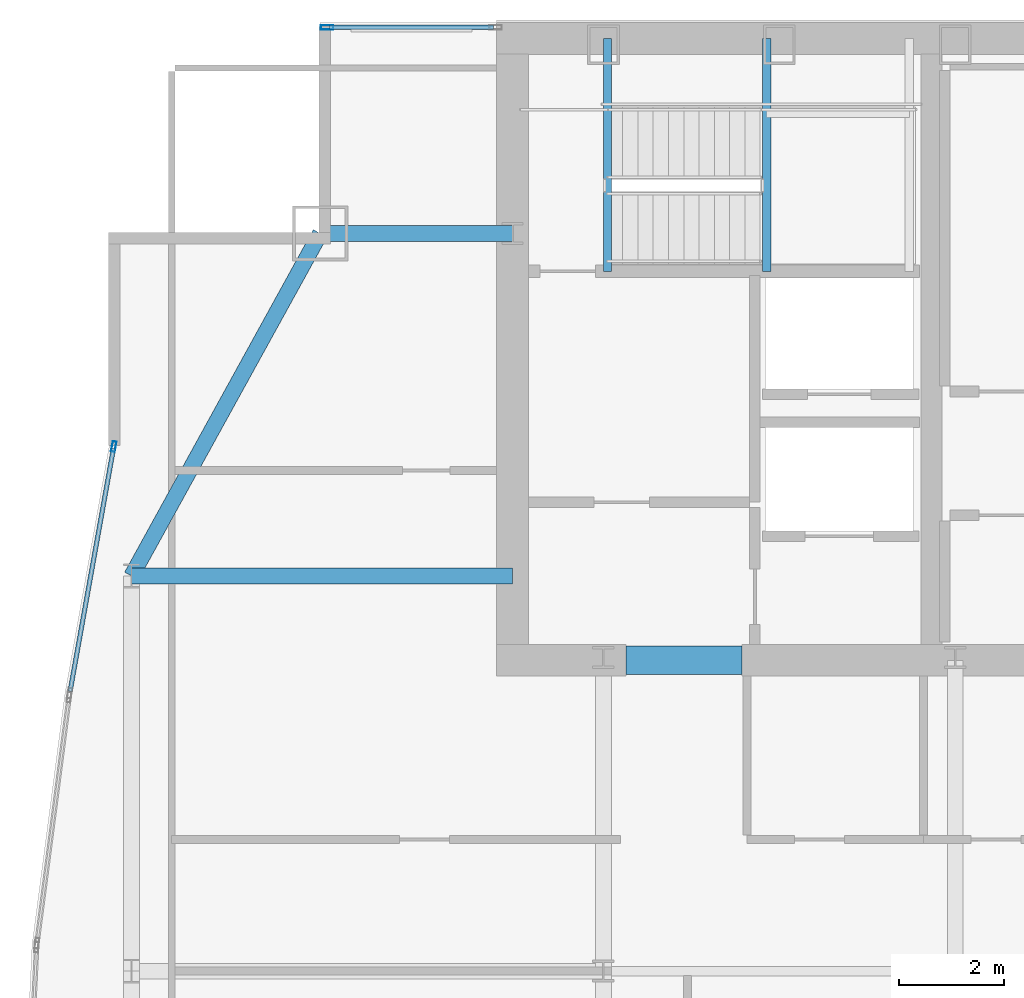
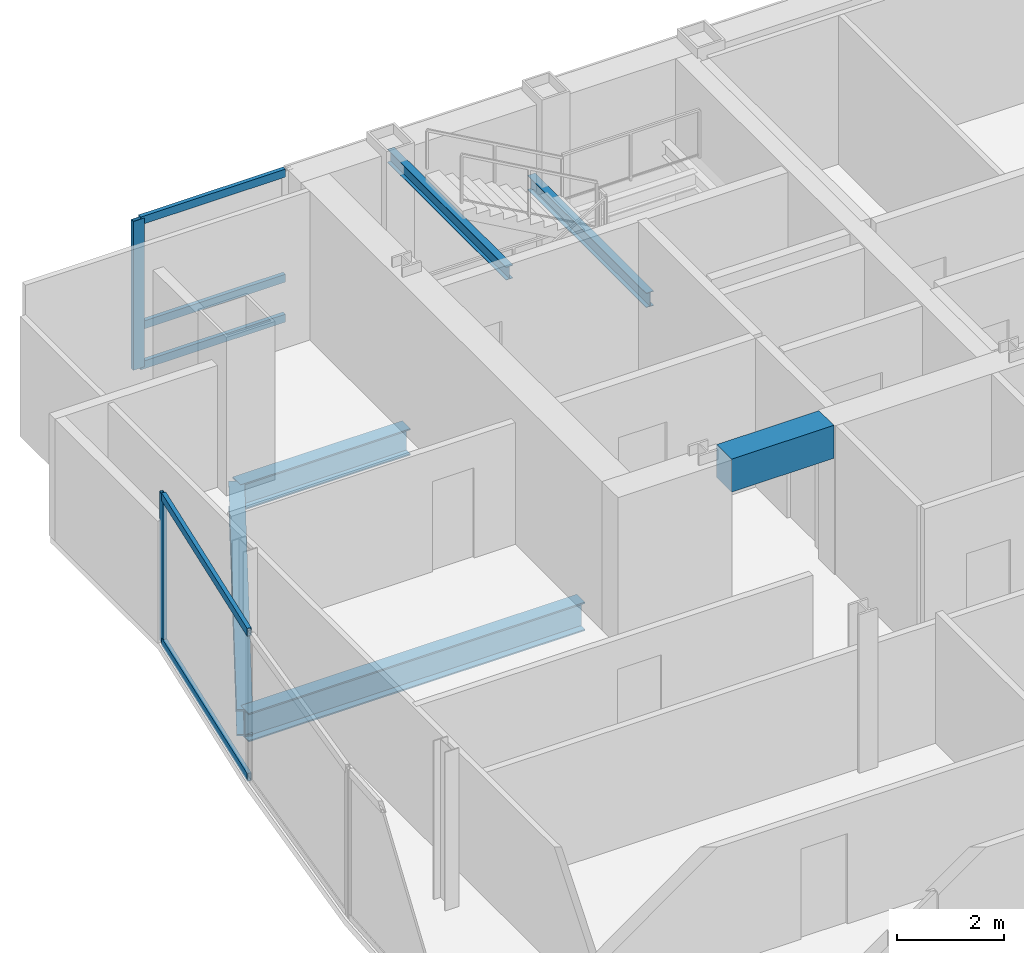
# One storey, part 20 of 30: 7 members, 6 beams, 2 elements without a shape of their own.
"""IFC4 building model written with IfcOpenShell, lengths in metres."""

from ifc_helpers import new_model, si_unit, direction, frame, origin, origin_2d, place, context, subcontext, project, spatial, rectangle, hollow_rectangle, i_section, extrude, material, material_profile, profile_set, type_object, element, aggregate, save


model = new_model("IFC4")

# Units and contexts
model_context = context("Model", 3, precision=1e-05, world=origin(), true_north=direction((0.0, 1.0)))
body_context = subcontext(model_context, "Body", "Model", "MODEL_VIEW")
ifc_project = project(units=[si_unit("LENGTHUNIT", "METRE"), si_unit("AREAUNIT", "SQUARE_METRE"), si_unit("VOLUMEUNIT", "CUBIC_METRE"), si_unit("PLANEANGLEUNIT", "RADIAN"), si_unit("MASSUNIT", "GRAM", prefix="KILO")], contexts=[model_context])

# Site, building, storey
site_placement = place(None, origin())
site = spatial("IfcSite", under=ifc_project, at=site_placement, CompositionType="ELEMENT")
building_placement = place(site_placement, origin())
building = spatial("IfcBuilding", under=site, at=building_placement, Name="Khoronbel Lancet Exchange", CompositionType="ELEMENT")
storey_placement = place(building_placement, frame((0.0, 0.0, 253.39990234375)))
storey = spatial("IfcBuildingStorey", under=building, at=storey_placement, Name="L65", CompositionType="ELEMENT", Elevation=253.39990234375)

# Beams
ifc_material_1 = material(Name="Steel S355", Category="steel")
ifc_material_profile_1 = material_profile(ifc_material_1, i_section(OverallWidth=0.300048828125, OverallDepth=0.64990234375, WebThickness=0.01611328125, FlangeThickness=0.031005859375, at=origin_2d()), Name="HEB 650")
ifc_profile_set_1 = profile_set([ifc_material_profile_1], Name="Steel S355")
beam_type_1 = type_object("IfcBeamType", Name="BM-BG4", PredefinedType="BEAM", material=ifc_profile_set_1)
beam_1_placement = place(storey_placement, frame((9.27001953125, 43.199951171875, -0.48486328125), z_axis=(1.0, 0.0, 0.0), x_axis=(0.0, 1.0, 0.0)))
element("IfcBeam", 1, at=beam_1_placement, inside=storey, type_object=beam_type_1, Name="Level L65 west lens tie girder LG3W", PredefinedType="BEAM", context=body_context, shape_type="SweptSolid", body=[
    extrude(i_section(OverallWidth=0.300048828125, OverallDepth=0.64990234375, WebThickness=0.01611328125, FlangeThickness=0.031005859375, at=origin_2d()), origin(), (0.0, 0.0, 1.0), 7.22998046875),
])
ifc_material_profile_2 = material_profile(ifc_material_1, i_section(OverallWidth=0.159912109375, OverallDepth=0.330078125, WebThickness=0.007568359375, FlangeThickness=0.011474609375, at=origin_2d()), Name="IPE 330")
ifc_profile_set_2 = profile_set([ifc_material_profile_2], Name="Steel S355")
beam_type_2 = type_object("IfcBeamType", Name="BM-BJ7", PredefinedType="JOIST", material=ifc_profile_set_2)
beam_2_placement = place(storey_placement, frame((21.320068359375, 48.97998046875, 1.43505859375), z_axis=(0.0, 1.0, 0.0), x_axis=(-1.0, 0.0, 0.0)))
element("IfcBeam", 2, at=beam_2_placement, inside=storey, type_object=beam_type_2, Name="Level L65 stair ST1 landing bearer beam 1", PredefinedType="JOIST", context=body_context, shape_type="SweptSolid", body=[
    extrude(i_section(OverallWidth=0.159912109375, OverallDepth=0.330078125, WebThickness=0.007568359375, FlangeThickness=0.011474609375, at=origin_2d()), origin(), (0.0, 0.0, 1.0), 4.419921875),
])
ifc_material_profile_3 = material_profile(ifc_material_1, i_section(OverallWidth=0.14990234375, OverallDepth=0.300048828125, WebThickness=0.007080078125, FlangeThickness=0.0107421875, at=origin_2d()), Name="IPE 300")
ifc_profile_set_3 = profile_set([ifc_material_profile_3], Name="Steel S355")
beam_type_3 = type_object("IfcBeamType", Name="BM-BJ8", PredefinedType="JOIST", material=ifc_profile_set_3)
beam_3_placement = place(storey_placement, frame((18.300048828125, 48.97998046875, 3.10009765625), z_axis=(0.0, 1.0, 0.0), x_axis=(-1.0, 0.0, 0.0)))
element("IfcBeam", 3, at=beam_3_placement, inside=storey, type_object=beam_type_3, Name="Level L65 stair ST1 upper-flight arrival trimmer beam", PredefinedType="JOIST", context=body_context, shape_type="SweptSolid", body=[
    extrude(i_section(OverallWidth=0.14990234375, OverallDepth=0.300048828125, WebThickness=0.007080078125, FlangeThickness=0.0107421875, at=origin_2d()), origin(), (0.0, 0.0, 1.0), 4.419921875),
])
ifc_material_2 = material(Name="Concrete C60/75", Category="concrete")
ifc_material_profile_4 = material_profile(ifc_material_2, rectangle(XDim=0.550048828125, YDim=0.75, at=origin_2d()), Name="RC 550x750")
ifc_profile_set_4 = profile_set([ifc_material_profile_4], Name="Concrete C60/75")
beam_type_4 = type_object("IfcBeamType", Name="BM-BL2", PredefinedType="LINTEL", material=ifc_profile_set_4)
beam_4_placement = place(storey_placement, frame((18.64990234375, 41.60009765625, 3.005126953125), z_axis=(1.0, 0.0, 0.0), x_axis=(0.0, 1.0, 0.0)))
element("IfcBeam", 4, at=beam_4_placement, inside=storey, type_object=beam_type_4, Name="Level L65 rear core coupling lintel L1", PredefinedType="LINTEL", context=body_context, shape_type="SweptSolid", body=[
    extrude(rectangle(XDim=0.550048828125, YDim=0.75, at=origin_2d()), origin(), (0.0, 0.0, 1.0), 2.2001953125),
])
ifc_material_profile_5 = material_profile(ifc_material_1, i_section(OverallWidth=0.300048828125, OverallDepth=0.60009765625, WebThickness=0.015380859375, FlangeThickness=0.030029296875, at=origin_2d()), Name="HEB 600")
ifc_profile_set_5 = profile_set([ifc_material_profile_5], Name="Steel S355")
beam_type_5 = type_object("IfcBeamType", Name="BM-BSP2", PredefinedType="SPANDREL", material=ifc_profile_set_5)
beam_5_placement = place(storey_placement, frame((12.85009765625, 49.699951171875, -0.4599609375), z_axis=(-0.482444051088, -0.875926787791, 0.0), x_axis=(0.875926787791, -0.482444051088, 0.0)))
element("IfcBeam", 5, at=beam_5_placement, inside=storey, type_object=beam_type_5, Name="Level L65 perimeter spandrel beam SP16", PredefinedType="SPANDREL", context=body_context, shape_type="SweptSolid", body=[
    extrude(i_section(OverallWidth=0.300048828125, OverallDepth=0.60009765625, WebThickness=0.015380859375, FlangeThickness=0.030029296875, at=origin_2d()), origin(), (0.0, 0.0, 1.0), 7.420654296875),
])
beam_6_placement = place(storey_placement, frame((12.85009765625, 49.699951171875, -0.4599609375), z_axis=(1.0, 0.0, 0.0), x_axis=(0.0, 1.0, 0.0)))
element("IfcBeam", 6, at=beam_6_placement, inside=storey, type_object=beam_type_5, Name="Level L65 north flank tie spandrel SP22", PredefinedType="SPANDREL", context=body_context, shape_type="SweptSolid", body=[
    extrude(i_section(OverallWidth=0.300048828125, OverallDepth=0.60009765625, WebThickness=0.015380859375, FlangeThickness=0.030029296875, at=origin_2d()), origin(), (0.0, 0.0, 1.0), 3.64990234375),
])

# Curtain wall, member
ifc_material_3 = material(Name="Low-E Solar Control Insulating Glass", Category="glass")
curtain_wall_type_1 = type_object("IfcCurtainWallType", Name="CW-3", PredefinedType="NOTDEFINED", material=ifc_material_3)
curtain_wall_1_placement = place(storey_placement, origin())
curtain_wall_1 = element("IfcCurtainWall", 7, at=curtain_wall_1_placement, inside=storey, type_object=curtain_wall_type_1, Name="Unitised curtain wall CW-L65-NWFLK", PredefinedType="NOTDEFINED")
ifc_material_4 = material(Name="Bronze-Anodised Aluminium 6063-T6", Category="aluminium")
ifc_material_profile_6 = material_profile(ifc_material_4, hollow_rectangle(XDim=0.0849609375, YDim=0.239990234375, WallThickness=0.006103515625, at=origin_2d()), Name="ALU MULLION 85x240")
ifc_profile_set_6 = profile_set([ifc_material_profile_6], Name="Bronze-Anodised Aluminium 6063-T6")
member_type_1 = type_object("IfcMemberType", Name="MEM-CWM1", PredefinedType="MULLION", material=ifc_profile_set_6)
member_1_placement = place(storey_placement, frame((12.982421875, 53.610107421875, 0.0), z_axis=(0.0, 0.0, 1.0), x_axis=(0.0, -1.0, 0.0)))
member_1 = element("IfcMember", 8, at=member_1_placement, type_object=member_type_1, Name="CW3 mullion 2", PredefinedType="MULLION", context=body_context, shape_type="SweptSolid", body=[
    extrude(hollow_rectangle(XDim=0.0849609375, YDim=0.239990234375, WallThickness=0.006103515625, at=origin_2d()), origin(), (0.0, 0.0, 1.0), 3.380126953125),
])

# Curtain wall, members
curtain_wall_type_2 = type_object("IfcCurtainWallType", Name="CW-4", PredefinedType="NOTDEFINED", material=ifc_material_3)
curtain_wall_2_placement = place(storey_placement, origin())
curtain_wall_2 = element("IfcCurtainWall", 9, at=curtain_wall_2_placement, inside=storey, type_object=curtain_wall_type_2, Name="Unitised curtain wall CW-L65-E09", PredefinedType="NOTDEFINED")
ifc_material_profile_7 = material_profile(ifc_material_4, hollow_rectangle(XDim=0.074951171875, YDim=0.199951171875, WallThickness=0.0048828125, at=origin_2d()), Name="ALU MULLION 75x200")
ifc_profile_set_7 = profile_set([ifc_material_profile_7], Name="Bronze-Anodised Aluminium 6063-T6")
member_type_2 = type_object("IfcMemberType", Name="MEM-CWM2", PredefinedType="MULLION", material=ifc_profile_set_7)
member_2_placement = place(storey_placement, frame((8.933349609375, 45.655029296875, 0.0), z_axis=(0.0, 0.0, 1.0), x_axis=(-0.984425784404, 0.175800668376, 0.0)))
member_2 = element("IfcMember", 10, at=member_2_placement, type_object=member_type_2, Name="CW4 mullion 2", PredefinedType="MULLION", context=body_context, shape_type="SweptSolid", body=[
    extrude(hollow_rectangle(XDim=0.074951171875, YDim=0.199951171875, WallThickness=0.0048828125, at=origin_2d()), origin(), (0.0, 0.0, 1.0), 3.380126953125),
])
ifc_material_profile_8 = material_profile(ifc_material_4, hollow_rectangle(XDim=0.0849609375, YDim=0.179931640625, WallThickness=0.0048828125, at=origin_2d()), Name="ALU TRANSOM 85x180")
ifc_profile_set_8 = profile_set([ifc_material_profile_8], Name="Bronze-Anodised Aluminium 6063-T6")
member_type_3 = type_object("IfcMemberType", Name="MEM-CWT1", PredefinedType="USERDEFINED", material=ifc_profile_set_8)
member_3_placement = place(storey_placement, frame((8.10400390625, 41.010009765625, 0.04248046875), z_axis=(0.175763561469, 0.984432410305, 0.0), x_axis=(-0.984432410305, 0.175763561469, 0.0)))
member_3 = element("IfcMember", 11, at=member_3_placement, type_object=member_type_3, Name="CW4 transom 1.1", ObjectType="TRANSOM", PredefinedType="USERDEFINED", context=body_context, shape_type="SweptSolid", body=[
    extrude(hollow_rectangle(XDim=0.0849609375, YDim=0.179931640625, WallThickness=0.0048828125, at=origin_2d()), origin(), (0.0, 0.0, 1.0), 4.680908203125),
])
member_4_placement = place(storey_placement, frame((8.10400390625, 41.010009765625, 3.337646484375), z_axis=(0.175763561469, 0.984432410305, 0.0), x_axis=(-0.984432410305, 0.175763561469, 0.0)))
member_4 = element("IfcMember", 12, at=member_4_placement, type_object=member_type_3, Name="CW4 transom 1.2", ObjectType="TRANSOM", PredefinedType="USERDEFINED", context=body_context, shape_type="SweptSolid", body=[
    extrude(hollow_rectangle(XDim=0.0849609375, YDim=0.179931640625, WallThickness=0.0048828125, at=origin_2d()), origin(), (0.0, 0.0, 1.0), 4.680908203125),
])
aggregate(curtain_wall_2, [member_2, member_3, member_4])

# Member
member_5_placement = place(storey_placement, frame((16.135009765625, 53.610107421875, 0.04248046875), z_axis=(-1.0, 0.0, 0.0), x_axis=(0.0, -1.0, 0.0)))
member_5 = element("IfcMember", 13, at=member_5_placement, type_object=member_type_3, Name="CW3 transom 1.1", ObjectType="TRANSOM", PredefinedType="USERDEFINED", context=body_context, shape_type="SweptSolid", body=[
    extrude(hollow_rectangle(XDim=0.0849609375, YDim=0.179931640625, WallThickness=0.0048828125, at=origin_2d()), origin(), (0.0, 0.0, 1.0), 3.110107421875),
])

member_6_placement = place(storey_placement, frame((16.135009765625, 53.610107421875, 0.9501953125), z_axis=(-1.0, 0.0, 0.0), x_axis=(0.0, -1.0, 0.0)))
member_6 = element("IfcMember", 14, at=member_6_placement, type_object=member_type_3, Name="CW3 transom 1.2", ObjectType="TRANSOM", PredefinedType="USERDEFINED", context=body_context, shape_type="SweptSolid", body=[
    extrude(hollow_rectangle(XDim=0.0849609375, YDim=0.179931640625, WallThickness=0.0048828125, at=origin_2d()), origin(), (0.0, 0.0, 1.0), 3.110107421875),
])

member_7_placement = place(storey_placement, frame((16.135009765625, 53.610107421875, 3.337646484375), z_axis=(-1.0, 0.0, 0.0), x_axis=(0.0, -1.0, 0.0)))
member_7 = element("IfcMember", 15, at=member_7_placement, type_object=member_type_3, Name="CW3 transom 1.3", ObjectType="TRANSOM", PredefinedType="USERDEFINED", context=body_context, shape_type="SweptSolid", body=[
    extrude(hollow_rectangle(XDim=0.0849609375, YDim=0.179931640625, WallThickness=0.0048828125, at=origin_2d()), origin(), (0.0, 0.0, 1.0), 3.110107421875),
])

aggregate(curtain_wall_1, [member_1, member_5, member_6, member_7])

save(model, "model.ifc")
